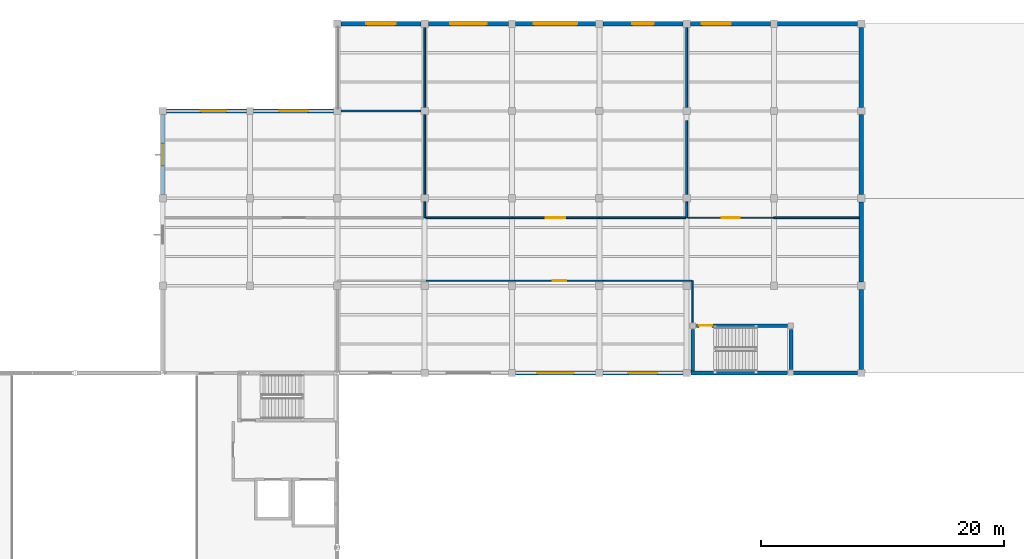
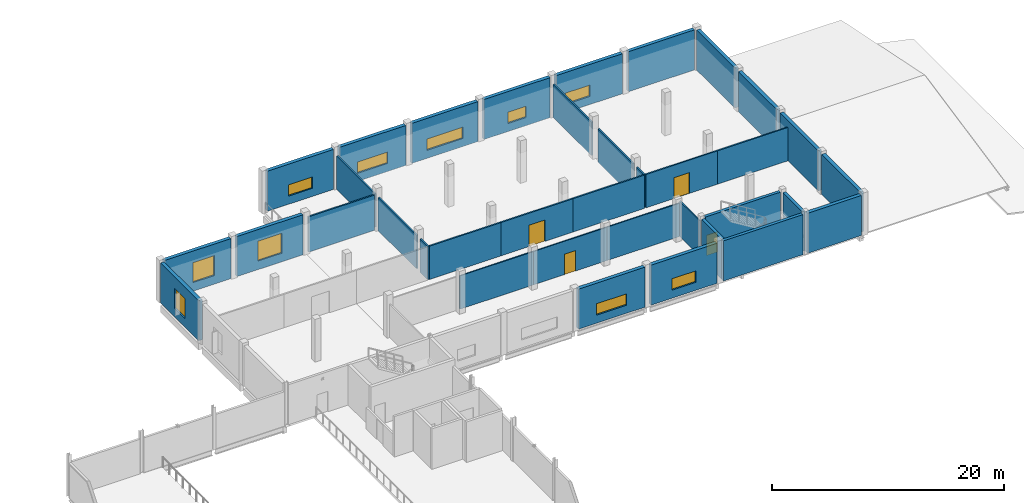
# One storey, part 69 of 76: 36 walls, 10 windows, 4 doors, 14 openings.
"""IFC4 building model written with IfcOpenShell, lengths in metres."""

from ifc_helpers import new_model, si_unit, direction, frame, frame_2d, origin, place, context, subcontext, project, spatial, rectangle, extrude, material, layer, layer_set, type_object, element, fill, save


model = new_model("IFC4")

# Units and contexts
model_context = context("Model", 3, precision=1e-05, world=origin(), true_north=direction((0.0, 1.0)))
body_context = subcontext(model_context, "Body", "Model", "MODEL_VIEW")
ifc_project = project(units=[si_unit("LENGTHUNIT", "METRE"), si_unit("AREAUNIT", "SQUARE_METRE"), si_unit("VOLUMEUNIT", "CUBIC_METRE"), si_unit("PLANEANGLEUNIT", "RADIAN"), si_unit("MASSUNIT", "GRAM", prefix="KILO"), si_unit("THERMODYNAMICTEMPERATUREUNIT", "KELVIN"), si_unit("POWERUNIT", "WATT")], contexts=[model_context])

# Site, building, storey
site_placement = place(None, origin())
site = spatial("IfcSite", under=ifc_project, at=site_placement, CompositionType="ELEMENT")
building_placement = place(site_placement, origin())
building = spatial("IfcBuilding", under=site, at=building_placement, Name="Kaldorven Railside Theatre", CompositionType="ELEMENT")
storey_placement = place(building_placement, frame((0.0, 0.0, 14.39990234375)))
storey = spatial("IfcBuildingStorey", under=building, at=storey_placement, Name="L03", CompositionType="ELEMENT", Elevation=14.39990234375)

# Wall, opening, window
ifc_material_1 = material(Name="Precast concrete C40/50", Category="concrete")
ifc_layer_1 = layer(ifc_material_1, 0.35009765625, Name="Precast concrete C40/50")
ifc_layer_set_1 = layer_set([ifc_layer_1], Name="Precast concrete C40/50")
wall_type_1 = type_object("IfcWallType", Name="WL-EW03", PredefinedType="SOLIDWALL", material=ifc_layer_set_1)
wall_1_placement = place(storey_placement, frame((108.800048828125, 127.5, 0.0), z_axis=(0.0, 0.0, 1.0), x_axis=(0.0, 1.0, 0.0)))
wall_1 = element("IfcWall", 1, at=wall_1_placement, inside=storey, type_object=wall_type_1, Name="V6L L03 Exterior Wall EW-0358", PredefinedType="SOLIDWALL", context=body_context, shape_type="SweptSolid", body=[
    extrude(rectangle(XDim=6.60009765625, YDim=0.35009765625, at=frame_2d((3.300048828125, 0.0))), origin(), (0.0, 0.0, 1.0), 4.22021484375),
])
opening_1_placement = place(wall_1_placement, frame((2.39990234375, 0.0, 0.89990234375)))
opening_1 = element("IfcOpeningElement", 2, at=opening_1_placement, cuts=wall_1, Name="Opening WN-059", PredefinedType="OPENING", context=body_context, shape_type="SweptSolid", body=[
    extrude(rectangle(XDim=1.800048828125, YDim=2.10009765625, at=frame_2d((0.89990234375, 1.050048828125))), frame((0.0, 0.18505859375, 0.0), z_axis=(0.0, -1.0, 0.0), x_axis=(1.0, 0.0, 0.0)), (0.0, 0.0, 1.0), 0.3701171875),
])
ifc_material_2 = material(Name="Low-E laminated solar-control glass", Category="glass")
window_type_1 = type_object("IfcWindowType", Name="WN-EW09", PartitioningType="SINGLE_PANEL", PredefinedType="WINDOW", material=ifc_material_2)
window_1_placement = place(opening_1_placement, origin())
window_1 = element("IfcWindow", 3, at=window_1_placement, inside=storey, type_object=window_type_1, Name="Shaded Acoustic Exterior Window WN-059", OverallHeight=2.10009765625, OverallWidth=1.800048828125, PartitioningType="SINGLE_PANEL", PredefinedType="WINDOW", context=body_context, shape_type="SweptSolid", body=[
    extrude(rectangle(XDim=1.800048828125, YDim=2.10009765625, at=frame_2d((0.89990234375, 1.050048828125))), frame((0.0, 0.030029296875, 0.0), z_axis=(0.0, -1.0, 0.0), x_axis=(1.0, 0.0, 0.0)), (0.0, 0.0, 1.0), 0.06005859375),
])
fill(opening_1, window_1)

wall_2_placement = place(storey_placement, frame((109.10009765625, 134.39990234375, 0.0), z_axis=(0.0, 0.0, 1.0), x_axis=(1.0, 0.0, 0.0)))
wall_2 = element("IfcWall", 4, at=wall_2_placement, inside=storey, type_object=wall_type_1, Name="V6L L03 Exterior Wall EW-0359", PredefinedType="SOLIDWALL", context=body_context, shape_type="SweptSolid", body=[
    extrude(rectangle(XDim=6.599853515625, YDim=0.35009765625, at=frame_2d((3.2998046875, 0.0))), origin(), (0.0, 0.0, 1.0), 4.22021484375),
])
opening_2_placement = place(wall_2_placement, frame((2.85009765625, 0.0, 0.89990234375)))
opening_2 = element("IfcOpeningElement", 5, at=opening_2_placement, cuts=wall_2, Name="Opening WN-060", PredefinedType="OPENING", context=body_context, shape_type="SweptSolid", body=[
    extrude(rectangle(XDim=2.10009765625, YDim=2.10009765625, at=frame_2d((1.050048828125, 1.050048828125))), frame((0.0, 0.18505859375, 0.0), z_axis=(0.0, -1.0, 0.0), x_axis=(1.0, 0.0, 0.0)), (0.0, 0.0, 1.0), 0.3701171875),
])
window_type_2 = type_object("IfcWindowType", Name="WN-EW10", PartitioningType="SINGLE_PANEL", PredefinedType="WINDOW", material=ifc_material_2)
window_2_placement = place(opening_2_placement, origin())
window_2 = element("IfcWindow", 6, at=window_2_placement, inside=storey, type_object=window_type_2, Name="Shaded Acoustic Exterior Window WN-060", OverallHeight=2.10009765625, OverallWidth=2.10009765625, PartitioningType="SINGLE_PANEL", PredefinedType="WINDOW", context=body_context, shape_type="SweptSolid", body=[
    extrude(rectangle(XDim=2.10009765625, YDim=2.10009765625, at=frame_2d((1.050048828125, 1.050048828125))), frame((0.0, 0.030029296875, 0.0), z_axis=(0.0, -1.0, 0.0), x_axis=(1.0, 0.0, 0.0)), (0.0, 0.0, 1.0), 0.06005859375),
])
fill(opening_2, window_2)

wall_3_placement = place(storey_placement, frame((116.300048828125, 134.39990234375, 0.0), z_axis=(0.0, 0.0, 1.0), x_axis=(1.0, 0.0, 0.0)))
wall_3 = element("IfcWall", 7, at=wall_3_placement, inside=storey, type_object=wall_type_1, Name="V6L L03 Exterior Wall EW-0360", PredefinedType="SOLIDWALL", context=body_context, shape_type="SweptSolid", body=[
    extrude(rectangle(XDim=6.599853515625, YDim=0.35009765625, at=frame_2d((3.2998046875, 0.0))), origin(), (0.0, 0.0, 1.0), 4.22021484375),
])
opening_3_placement = place(wall_3_placement, frame((2.10009765625, 0.0, 0.89990234375)))
opening_3 = element("IfcOpeningElement", 8, at=opening_3_placement, cuts=wall_3, Name="Opening WN-061", PredefinedType="OPENING", context=body_context, shape_type="SweptSolid", body=[
    extrude(rectangle(XDim=2.39990234375, YDim=2.10009765625, at=frame_2d((1.199951171875, 1.050048828125))), frame((0.0, 0.18505859375, 0.0), z_axis=(0.0, -1.0, 0.0), x_axis=(1.0, 0.0, 0.0)), (0.0, 0.0, 1.0), 0.3701171875),
])
window_type_3 = type_object("IfcWindowType", Name="WN-EW11", PartitioningType="SINGLE_PANEL", PredefinedType="WINDOW", material=ifc_material_2)
window_3_placement = place(opening_3_placement, origin())
window_3 = element("IfcWindow", 9, at=window_3_placement, inside=storey, type_object=window_type_3, Name="Shaded Acoustic Exterior Window WN-061", OverallHeight=2.10009765625, OverallWidth=2.39990234375, PartitioningType="SINGLE_PANEL", PredefinedType="WINDOW", context=body_context, shape_type="SweptSolid", body=[
    extrude(rectangle(XDim=2.39990234375, YDim=2.10009765625, at=frame_2d((1.199951171875, 1.050048828125))), frame((0.0, 0.030029296875, 0.0), z_axis=(0.0, -1.0, 0.0), x_axis=(1.0, 0.0, 0.0)), (0.0, 0.0, 1.0), 0.06005859375),
])
fill(opening_3, window_3)

# Wall
wall_4_placement = place(storey_placement, frame((166.10009765625, 112.800048828125, 0.0), z_axis=(0.0, 0.0, 1.0), x_axis=(-1.0, 0.0, 0.0)))
element("IfcWall", 10, at=wall_4_placement, inside=storey, type_object=wall_type_1, Name="V6 L03 Exterior Wall EW-0432", PredefinedType="SOLIDWALL", context=body_context, shape_type="SweptSolid", body=[
    extrude(rectangle(XDim=5.35009765625, YDim=0.35009765625, at=frame_2d((2.675048828125, 0.0))), origin(), (0.0, 0.0, 1.0), 4.22021484375),
])

# Wall, opening, window
wall_5_placement = place(storey_placement, frame((151.699951171875, 112.800048828125, 0.0), z_axis=(0.0, 0.0, 1.0), x_axis=(-1.0, 0.0, 0.0)))
wall_5 = element("IfcWall", 11, at=wall_5_placement, inside=storey, type_object=wall_type_1, Name="V6 L03 Exterior Wall EW-0433", PredefinedType="SOLIDWALL", context=body_context, shape_type="SweptSolid", body=[
    extrude(rectangle(XDim=6.599853515625, YDim=0.35009765625, at=frame_2d((3.2998046875, 0.0))), origin(), (0.0, 0.0, 1.0), 4.22021484375),
])
opening_4_placement = place(wall_5_placement, frame((2.10009765625, 0.0, 0.85009765625)))
opening_4 = element("IfcOpeningElement", 12, at=opening_4_placement, cuts=wall_5, Name="Opening WN-106", PredefinedType="OPENING", context=body_context, shape_type="SweptSolid", body=[
    extrude(rectangle(XDim=2.39990234375, YDim=1.199951171875, at=frame_2d((1.199951171875, 0.60009765625))), frame((0.0, 0.18505859375, 0.0), z_axis=(0.0, -1.0, 0.0), x_axis=(1.0, 0.0, 0.0)), (0.0, 0.0, 1.0), 0.3701171875),
])
window_type_4 = type_object("IfcWindowType", Name="WN-EW15", PartitioningType="SINGLE_PANEL", PredefinedType="WINDOW", material=ifc_material_2)
window_4_placement = place(opening_4_placement, origin())
window_4 = element("IfcWindow", 13, at=window_4_placement, inside=storey, type_object=window_type_4, Name="Shaded Acoustic Exterior Window WN-106", OverallHeight=1.199951171875, OverallWidth=2.39990234375, PartitioningType="SINGLE_PANEL", PredefinedType="WINDOW", context=body_context, shape_type="SweptSolid", body=[
    extrude(rectangle(XDim=2.39990234375, YDim=1.199951171875, at=frame_2d((1.199951171875, 0.60009765625))), frame((0.0, 0.030029296875, 0.0), z_axis=(0.0, -1.0, 0.0), x_axis=(1.0, 0.0, 0.0)), (0.0, 0.0, 1.0), 0.06005859375),
])
fill(opening_4, window_4)

wall_6_placement = place(storey_placement, frame((144.5, 112.800048828125, 0.0), z_axis=(0.0, 0.0, 1.0), x_axis=(-1.0, 0.0, 0.0)))
wall_6 = element("IfcWall", 14, at=wall_6_placement, inside=storey, type_object=wall_type_1, Name="V6 L03 Exterior Wall EW-0434", PredefinedType="SOLIDWALL", context=body_context, shape_type="SweptSolid", body=[
    extrude(rectangle(XDim=6.60009765625, YDim=0.35009765625, at=frame_2d((3.300048828125, 0.0))), origin(), (0.0, 0.0, 1.0), 4.22021484375),
])
opening_5_placement = place(wall_6_placement, frame((1.800048828125, 0.0, 0.85009765625)))
opening_5 = element("IfcOpeningElement", 15, at=opening_5_placement, cuts=wall_6, Name="Opening WN-107", PredefinedType="OPENING", context=body_context, shape_type="SweptSolid", body=[
    extrude(rectangle(XDim=3.0, YDim=1.199951171875, at=frame_2d((1.5, 0.60009765625))), frame((0.0, 0.18505859375, 0.0), z_axis=(0.0, -1.0, 0.0), x_axis=(1.0, 0.0, 0.0)), (0.0, 0.0, 1.0), 0.3701171875),
])
window_type_5 = type_object("IfcWindowType", Name="WN-EW16", PartitioningType="SINGLE_PANEL", PredefinedType="WINDOW", material=ifc_material_2)
window_5_placement = place(opening_5_placement, origin())
window_5 = element("IfcWindow", 16, at=window_5_placement, inside=storey, type_object=window_type_5, Name="Shaded Acoustic Exterior Window WN-107", OverallHeight=1.199951171875, OverallWidth=3.0, PartitioningType="SINGLE_PANEL", PredefinedType="WINDOW", context=body_context, shape_type="SweptSolid", body=[
    extrude(rectangle(XDim=3.0, YDim=1.199951171875, at=frame_2d((1.5, 0.60009765625))), frame((0.0, 0.030029296875, 0.0), z_axis=(0.0, -1.0, 0.0), x_axis=(1.0, 0.0, 0.0)), (0.0, 0.0, 1.0), 0.06005859375),
])
fill(opening_5, window_5)

wall_7_placement = place(storey_placement, frame((123.5, 141.60009765625, 0.0), z_axis=(0.0, 0.0, 1.0), x_axis=(1.0, 0.0, 0.0)))
wall_7 = element("IfcWall", 17, at=wall_7_placement, inside=storey, type_object=wall_type_1, Name="V6 L03 Exterior Wall EW-0437", PredefinedType="SOLIDWALL", context=body_context, shape_type="SweptSolid", body=[
    extrude(rectangle(XDim=6.60009765625, YDim=0.35009765625, at=frame_2d((3.300048828125, 0.0))), origin(), (0.0, 0.0, 1.0), 4.22021484375),
])
opening_6_placement = place(wall_7_placement, frame((2.10009765625, 0.0, 0.85009765625)))
opening_6 = element("IfcOpeningElement", 18, at=opening_6_placement, cuts=wall_7, Name="Opening WN-110", PredefinedType="OPENING", context=body_context, shape_type="SweptSolid", body=[
    extrude(rectangle(XDim=2.39990234375, YDim=1.199951171875, at=frame_2d((1.199951171875, 0.60009765625))), frame((0.0, 0.18505859375, 0.0), z_axis=(0.0, -1.0, 0.0), x_axis=(1.0, 0.0, 0.0)), (0.0, 0.0, 1.0), 0.3701171875),
])
window_6_placement = place(opening_6_placement, origin())
window_6 = element("IfcWindow", 19, at=window_6_placement, inside=storey, type_object=window_type_4, Name="Shaded Acoustic Exterior Window WN-110", OverallHeight=1.199951171875, OverallWidth=2.39990234375, PartitioningType="SINGLE_PANEL", PredefinedType="WINDOW", context=body_context, shape_type="SweptSolid", body=[
    extrude(rectangle(XDim=2.39990234375, YDim=1.199951171875, at=frame_2d((1.199951171875, 0.60009765625))), frame((0.0, 0.030029296875, 0.0), z_axis=(0.0, -1.0, 0.0), x_axis=(1.0, 0.0, 0.0)), (0.0, 0.0, 1.0), 0.06005859375),
])
fill(opening_6, window_6)

wall_8_placement = place(storey_placement, frame((130.699951171875, 141.60009765625, 0.0), z_axis=(0.0, 0.0, 1.0), x_axis=(1.0, 0.0, 0.0)))
wall_8 = element("IfcWall", 20, at=wall_8_placement, inside=storey, type_object=wall_type_1, Name="V6 L03 Exterior Wall EW-0438", PredefinedType="SOLIDWALL", context=body_context, shape_type="SweptSolid", body=[
    extrude(rectangle(XDim=6.60009765625, YDim=0.35009765625, at=frame_2d((3.300048828125, 0.0))), origin(), (0.0, 0.0, 1.0), 4.22021484375),
])
opening_7_placement = place(wall_8_placement, frame((1.800048828125, 0.0, 0.85009765625)))
opening_7 = element("IfcOpeningElement", 21, at=opening_7_placement, cuts=wall_8, Name="Opening WN-111", PredefinedType="OPENING", context=body_context, shape_type="SweptSolid", body=[
    extrude(rectangle(XDim=3.0, YDim=1.199951171875, at=frame_2d((1.5, 0.60009765625))), frame((0.0, 0.18505859375, 0.0), z_axis=(0.0, -1.0, 0.0), x_axis=(1.0, 0.0, 0.0)), (0.0, 0.0, 1.0), 0.3701171875),
])
window_7_placement = place(opening_7_placement, origin())
window_7 = element("IfcWindow", 22, at=window_7_placement, inside=storey, type_object=window_type_5, Name="Shaded Acoustic Exterior Window WN-111", OverallHeight=1.199951171875, OverallWidth=3.0, PartitioningType="SINGLE_PANEL", PredefinedType="WINDOW", context=body_context, shape_type="SweptSolid", body=[
    extrude(rectangle(XDim=3.0, YDim=1.199951171875, at=frame_2d((1.5, 0.60009765625))), frame((0.0, 0.030029296875, 0.0), z_axis=(0.0, -1.0, 0.0), x_axis=(1.0, 0.0, 0.0)), (0.0, 0.0, 1.0), 0.06005859375),
])
fill(opening_7, window_7)

wall_9_placement = place(storey_placement, frame((137.89990234375, 141.60009765625, 0.0), z_axis=(0.0, 0.0, 1.0), x_axis=(1.0, 0.0, 0.0)))
wall_9 = element("IfcWall", 23, at=wall_9_placement, inside=storey, type_object=wall_type_1, Name="V6 L03 Exterior Wall EW-0439", PredefinedType="SOLIDWALL", context=body_context, shape_type="SweptSolid", body=[
    extrude(rectangle(XDim=6.60009765625, YDim=0.35009765625, at=frame_2d((3.300048828125, 0.0))), origin(), (0.0, 0.0, 1.0), 4.22021484375),
])
opening_8_placement = place(wall_9_placement, frame((1.5, 0.0, 0.85009765625)))
opening_8 = element("IfcOpeningElement", 24, at=opening_8_placement, cuts=wall_9, Name="Opening WN-112", PredefinedType="OPENING", context=body_context, shape_type="SweptSolid", body=[
    extrude(rectangle(XDim=3.60009765625, YDim=1.199951171875, at=frame_2d((1.800048828125, 0.60009765625))), frame((0.0, 0.18505859375, 0.0), z_axis=(0.0, -1.0, 0.0), x_axis=(1.0, 0.0, 0.0)), (0.0, 0.0, 1.0), 0.3701171875),
])
window_type_6 = type_object("IfcWindowType", Name="WN-EW17", PartitioningType="SINGLE_PANEL", PredefinedType="WINDOW", material=ifc_material_2)
window_8_placement = place(opening_8_placement, origin())
window_8 = element("IfcWindow", 25, at=window_8_placement, inside=storey, type_object=window_type_6, Name="Shaded Acoustic Exterior Window WN-112", OverallHeight=1.199951171875, OverallWidth=3.60009765625, PartitioningType="SINGLE_PANEL", PredefinedType="WINDOW", context=body_context, shape_type="SweptSolid", body=[
    extrude(rectangle(XDim=3.60009765625, YDim=1.199951171875, at=frame_2d((1.800048828125, 0.60009765625))), frame((0.0, 0.030029296875, 0.0), z_axis=(0.0, -1.0, 0.0), x_axis=(1.0, 0.0, 0.0)), (0.0, 0.0, 1.0), 0.06005859375),
])
fill(opening_8, window_8)

wall_10_placement = place(storey_placement, frame((145.10009765625, 141.60009765625, 0.0), z_axis=(0.0, 0.0, 1.0), x_axis=(1.0, 0.0, 0.0)))
wall_10 = element("IfcWall", 26, at=wall_10_placement, inside=storey, type_object=wall_type_1, Name="V6 L03 Exterior Wall EW-0440", PredefinedType="SOLIDWALL", context=body_context, shape_type="SweptSolid", body=[
    extrude(rectangle(XDim=6.599853515625, YDim=0.35009765625, at=frame_2d((3.2998046875, 0.0))), origin(), (0.0, 0.0, 1.0), 4.22021484375),
])
opening_9_placement = place(wall_10_placement, frame((2.39990234375, 0.0, 0.85009765625)))
opening_9 = element("IfcOpeningElement", 27, at=opening_9_placement, cuts=wall_10, Name="Opening WN-113", PredefinedType="OPENING", context=body_context, shape_type="SweptSolid", body=[
    extrude(rectangle(XDim=1.800048828125, YDim=1.199951171875, at=frame_2d((0.89990234375, 0.60009765625))), frame((0.0, 0.18505859375, 0.0), z_axis=(0.0, -1.0, 0.0), x_axis=(1.0, 0.0, 0.0)), (0.0, 0.0, 1.0), 0.3701171875),
])
window_type_7 = type_object("IfcWindowType", Name="WN-EW14", PartitioningType="SINGLE_PANEL", PredefinedType="WINDOW", material=ifc_material_2)
window_9_placement = place(opening_9_placement, origin())
window_9 = element("IfcWindow", 28, at=window_9_placement, inside=storey, type_object=window_type_7, Name="Shaded Acoustic Exterior Window WN-113", OverallHeight=1.199951171875, OverallWidth=1.800048828125, PartitioningType="SINGLE_PANEL", PredefinedType="WINDOW", context=body_context, shape_type="SweptSolid", body=[
    extrude(rectangle(XDim=1.800048828125, YDim=1.199951171875, at=frame_2d((0.89990234375, 0.60009765625))), frame((0.0, 0.030029296875, 0.0), z_axis=(0.0, -1.0, 0.0), x_axis=(1.0, 0.0, 0.0)), (0.0, 0.0, 1.0), 0.06005859375),
])
fill(opening_9, window_9)

wall_11_placement = place(storey_placement, frame((152.300048828125, 141.60009765625, 0.0), z_axis=(0.0, 0.0, 1.0), x_axis=(1.0, 0.0, 0.0)))
wall_11 = element("IfcWall", 29, at=wall_11_placement, inside=storey, type_object=wall_type_1, Name="V6 L03 Exterior Wall EW-0441", PredefinedType="SOLIDWALL", context=body_context, shape_type="SweptSolid", body=[
    extrude(rectangle(XDim=6.599853515625, YDim=0.35009765625, at=frame_2d((3.2998046875, 0.0))), origin(), (0.0, 0.0, 1.0), 4.22021484375),
])
opening_10_placement = place(wall_11_placement, frame((0.949951171875, 0.0, 0.85009765625)))
opening_10 = element("IfcOpeningElement", 30, at=opening_10_placement, cuts=wall_11, Name="Opening WN-114", PredefinedType="OPENING", context=body_context, shape_type="SweptSolid", body=[
    extrude(rectangle(XDim=2.39990234375, YDim=1.199951171875, at=frame_2d((1.199951171875, 0.60009765625))), frame((0.0, 0.18505859375, 0.0), z_axis=(0.0, -1.0, 0.0), x_axis=(1.0, 0.0, 0.0)), (0.0, 0.0, 1.0), 0.3701171875),
])
window_10_placement = place(opening_10_placement, origin())
window_10 = element("IfcWindow", 31, at=window_10_placement, inside=storey, type_object=window_type_4, Name="Shaded Acoustic Exterior Window WN-114", OverallHeight=1.199951171875, OverallWidth=2.39990234375, PartitioningType="SINGLE_PANEL", PredefinedType="WINDOW", context=body_context, shape_type="SweptSolid", body=[
    extrude(rectangle(XDim=2.39990234375, YDim=1.199951171875, at=frame_2d((1.199951171875, 0.60009765625))), frame((0.0, 0.030029296875, 0.0), z_axis=(0.0, -1.0, 0.0), x_axis=(1.0, 0.0, 0.0)), (0.0, 0.0, 1.0), 0.06005859375),
])
fill(opening_10, window_10)

# Walls
for number, where, z_axis, x_axis, name in (
    (32, (159.5, 141.60009765625, 0.0), (0.0, 0.0, 1.0), (1.0, 0.0, 0.0), "V6 L03 Exterior Wall EW-0442"),
    (33, (166.39990234375, 141.300048828125, 0.0), (0.0, 0.0, 1.0), (0.0, -1.0, 0.0), "V6 L03 Exterior Wall EW-0443"),
    (34, (166.39990234375, 134.10009765625, 0.0), (0.0, 0.0, 1.0), (0.0, -1.0, 0.0), "V6 L03 Exterior Wall EW-0444"),
):
    element("IfcWall", number, at=place(storey_placement, frame(where, z_axis=z_axis, x_axis=x_axis)), inside=storey, type_object=wall_type_1, Name=name, PredefinedType="SOLIDWALL", context=body_context, shape_type="SweptSolid", body=[
        extrude(rectangle(XDim=6.60009765625, YDim=0.35009765625, at=frame_2d((3.300048828125, 0.0))), origin(), (0.0, 0.0, 1.0), 4.22021484375),
    ])
for number, where, z_axis, x_axis, name in (
    (35, (166.39990234375, 126.89990234375, 0.0), (0.0, 0.0, 1.0), (0.0, -1.0, 0.0), "V6 L03 Exterior Wall EW-0445"),
    (36, (166.39990234375, 119.699951171875, 0.0), (0.0, 0.0, 1.0), (0.0, -1.0, 0.0), "V6 L03 Exterior Wall EW-0446"),
):
    element("IfcWall", number, at=place(storey_placement, frame(where, z_axis=z_axis, x_axis=x_axis)), inside=storey, type_object=wall_type_1, Name=name, PredefinedType="SOLIDWALL", context=body_context, shape_type="SweptSolid", body=[
        extrude(rectangle(XDim=6.599853515625, YDim=0.35009765625, at=frame_2d((3.2998046875, 0.0))), origin(), (0.0, 0.0, 1.0), 4.22021484375),
    ])
ifc_material_3 = material(Name="Acoustic gypsum board")
ifc_layer_2 = layer(ifc_material_3, 0.14990234375, Name="Acoustic gypsum board")
ifc_layer_set_2 = layer_set([ifc_layer_2], Name="Acoustic gypsum board")
wall_type_2 = type_object("IfcWallType", Name="WL-IW-AC1", PredefinedType="PARTITIONING", material=ifc_layer_set_2)
wall_12_placement = place(storey_placement, frame((130.39990234375, 127.5, 0.0), z_axis=(0.0, 0.0, 1.0), x_axis=(0.0, 1.0, 0.0)))
element("IfcWall", 37, at=wall_12_placement, inside=storey, type_object=wall_type_2, Name="L03 Interior Wall IW-0643", PredefinedType="PARTITIONING", context=body_context, shape_type="SweptSolid", body=[
    extrude(rectangle(XDim=6.60009765625, YDim=0.14990234375, at=frame_2d((3.300048828125, 0.0))), origin(), (0.0, 0.0, 1.0), 3.51513671875),
])
wall_13_placement = place(storey_placement, frame((130.39990234375, 125.60009765625, 0.0), z_axis=(0.0, 0.0, 1.0), x_axis=(0.0, 1.0, 0.0)))
element("IfcWall", 38, at=wall_13_placement, inside=storey, type_object=wall_type_2, Name="L03 Interior Wall IW-0644", PredefinedType="PARTITIONING", context=body_context, shape_type="SweptSolid", body=[
    extrude(rectangle(XDim=1.2998046875, YDim=0.14990234375, at=frame_2d((0.64990234375, 0.0))), origin(), (0.0, 0.0, 1.0), 3.51513671875),
])
wall_14_placement = place(storey_placement, frame((130.10009765625, 134.39990234375, 0.0), z_axis=(0.0, 0.0, 1.0), x_axis=(-1.0, 0.0, 0.0)))
element("IfcWall", 39, at=wall_14_placement, inside=storey, type_object=wall_type_2, Name="L03 Interior Wall IW-0645", PredefinedType="PARTITIONING", context=body_context, shape_type="SweptSolid", body=[
    extrude(rectangle(XDim=6.60009765625, YDim=0.14990234375, at=frame_2d((3.300048828125, 0.0))), origin(), (0.0, 0.0, 1.0), 3.715087890625),
])
wall_15_placement = place(storey_placement, frame((152.0, 127.5, 0.0), z_axis=(0.0, 0.0, 1.0), x_axis=(0.0, 1.0, 0.0)))
element("IfcWall", 40, at=wall_15_placement, inside=storey, type_object=wall_type_2, Name="L03 Interior Wall IW-0649", PredefinedType="PARTITIONING", context=body_context, shape_type="SweptSolid", body=[
    extrude(rectangle(XDim=6.10009765625, YDim=0.14990234375, at=frame_2d((3.050048828125, 0.0))), origin(), (0.0, 0.0, 1.0), 3.51513671875),
])
wall_16_placement = place(storey_placement, frame((152.0, 125.60009765625, 0.0), z_axis=(0.0, 0.0, 1.0), x_axis=(0.0, 1.0, 0.0)))
element("IfcWall", 41, at=wall_16_placement, inside=storey, type_object=wall_type_2, Name="L03 Interior Wall IW-0650", PredefinedType="PARTITIONING", context=body_context, shape_type="SweptSolid", body=[
    extrude(rectangle(XDim=1.2998046875, YDim=0.14990234375, at=frame_2d((0.64990234375, 0.0))), origin(), (0.0, 0.0, 1.0), 3.51513671875),
])
for number, where, z_axis, x_axis, name in (
    (42, (152.0, 134.699951171875, 0.0), (0.0, 0.0, 1.0), (0.0, 1.0, 0.0), "L03 Interior Wall IW-0651"),
    (43, (130.39990234375, 141.300048828125, 0.0), (0.0, 0.0, 1.0), (0.0, -1.0, 0.0), "L03 Interior Wall IW-0652"),
):
    element("IfcWall", number, at=place(storey_placement, frame(where, z_axis=z_axis, x_axis=x_axis)), inside=storey, type_object=wall_type_2, Name=name, PredefinedType="PARTITIONING", context=body_context, shape_type="SweptSolid", body=[
        extrude(rectangle(XDim=6.60009765625, YDim=0.14990234375, at=frame_2d((3.300048828125, 0.0))), origin(), (0.0, 0.0, 1.0), 3.51513671875),
    ])
wall_17_placement = place(storey_placement, frame((130.47705078125, 125.60009765625, 0.0), z_axis=(0.0, 0.0, 1.0), x_axis=(1.0, 0.0, 0.0)))
element("IfcWall", 44, at=wall_17_placement, inside=storey, type_object=wall_type_2, Name="L03 Interior Wall IW-0653", PredefinedType="PARTITIONING", context=body_context, shape_type="SweptSolid", body=[
    extrude(rectangle(XDim=7.123046875, YDim=0.14990234375, at=frame_2d((3.5615234375, 0.0))), origin(), (0.0, 0.0, 1.0), 3.51513671875),
])

# Wall, opening, door
wall_18_placement = place(storey_placement, frame((137.60009765625, 125.60009765625, 0.0), z_axis=(0.0, 0.0, 1.0), x_axis=(1.0, 0.0, 0.0)))
wall_18 = element("IfcWall", 45, at=wall_18_placement, inside=storey, type_object=wall_type_2, Name="L03 Interior Wall IW-0654", PredefinedType="PARTITIONING", context=body_context, shape_type="SweptSolid", body=[
    extrude(rectangle(XDim=7.199951171875, YDim=0.14990234375, at=frame_2d((3.60009765625, 0.0))), origin(), (0.0, 0.0, 1.0), 3.51513671875),
])
opening_11_placement = place(wall_18_placement, frame((2.800048828125, 0.0, 0.0)))
opening_11 = element("IfcOpeningElement", 46, at=opening_11_placement, cuts=wall_18, Name="Opening ID-0149", PredefinedType="OPENING", context=body_context, shape_type="SweptSolid", body=[
    extrude(rectangle(XDim=1.60009765625, YDim=2.25, at=frame_2d((0.800048828125, 1.125))), frame((0.0, 0.0849609375, 0.0), z_axis=(0.0, -1.0, 0.0), x_axis=(1.0, 0.0, 0.0)), (0.0, 0.0, 1.0), 0.169921875),
])
ifc_material_4 = material(Name="Acoustic hardwood timber", Category="wood")
door_type_1 = type_object("IfcDoorType", Name="DR-ID-REH1", OperationType="NOTDEFINED", PredefinedType="DOOR", material=ifc_material_4)
door_1_placement = place(opening_11_placement, origin())
door_1 = element("IfcDoor", 47, at=door_1_placement, inside=storey, type_object=door_type_1, Name="Orchestra Rehearsal Hall Entry Door", OperationType="DOUBLE_DOOR_SINGLE_SWING", OverallHeight=2.25, OverallWidth=1.60009765625, PredefinedType="DOOR", context=body_context, shape_type="SweptSolid", body=[
    extrude(rectangle(XDim=1.60009765625, YDim=2.25, at=frame_2d((0.800048828125, 1.125))), frame((0.0, 0.02490234375, 0.0), z_axis=(0.0, -1.0, 0.0), x_axis=(1.0, 0.0, 0.0)), (0.0, 0.0, 1.0), 0.050048828125),
])
fill(opening_11, door_1)

# Wall
wall_19_placement = place(storey_placement, frame((144.800048828125, 125.60009765625, 0.0), z_axis=(0.0, 0.0, 1.0), x_axis=(1.0, 0.0, 0.0)))
element("IfcWall", 48, at=wall_19_placement, inside=storey, type_object=wall_type_2, Name="L03 Interior Wall IW-0655", PredefinedType="PARTITIONING", context=body_context, shape_type="SweptSolid", body=[
    extrude(rectangle(XDim=7.123046875, YDim=0.14990234375, at=frame_2d((3.5615234375, 0.0))), origin(), (0.0, 0.0, 1.0), 3.51513671875),
])

# Wall, opening, door
ifc_layer_3 = layer(ifc_material_3, 0.139892578125, Name="Acoustic gypsum board")
ifc_layer_set_3 = layer_set([ifc_layer_3], Name="Acoustic gypsum board")
wall_type_3 = type_object("IfcWallType", Name="WL-IW-AC2", PredefinedType="PARTITIONING", material=ifc_layer_set_3)
wall_20_placement = place(storey_placement, frame((152.076904296875, 125.60009765625, 0.0), z_axis=(0.0, 0.0, 1.0), x_axis=(1.0, 0.0, 0.0)))
wall_20 = element("IfcWall", 49, at=wall_20_placement, inside=storey, type_object=wall_type_3, Name="L03 Interior Wall IW-0656", PredefinedType="PARTITIONING", context=body_context, shape_type="SweptSolid", body=[
    extrude(rectangle(XDim=7.123046875, YDim=0.139892578125, at=frame_2d((3.5615234375, 0.0))), origin(), (0.0, 0.0, 1.0), 3.51513671875),
])
opening_12_placement = place(wall_20_placement, frame((2.8115234375, 0.0, 0.0)))
opening_12 = element("IfcOpeningElement", 50, at=opening_12_placement, cuts=wall_20, Name="Opening ID-0150", PredefinedType="OPENING", context=body_context, shape_type="SweptSolid", body=[
    extrude(rectangle(XDim=1.5, YDim=2.199951171875, at=frame_2d((0.75, 1.10009765625))), frame((0.0, 0.080078125, 0.0), z_axis=(0.0, -1.0, 0.0), x_axis=(1.0, 0.0, 0.0)), (0.0, 0.0, 1.0), 0.159912109375),
])
door_type_2 = type_object("IfcDoorType", Name="DR-ID-REH2", OperationType="NOTDEFINED", PredefinedType="DOOR", material=ifc_material_4)
door_2_placement = place(opening_12_placement, origin())
door_2 = element("IfcDoor", 51, at=door_2_placement, inside=storey, type_object=door_type_2, Name="Drama Studio Upper Entry Door", OperationType="DOUBLE_DOOR_SINGLE_SWING", OverallHeight=2.199951171875, OverallWidth=1.5, PredefinedType="DOOR", context=body_context, shape_type="SweptSolid", body=[
    extrude(rectangle(XDim=1.5, YDim=2.199951171875, at=frame_2d((0.75, 1.10009765625))), frame((0.0, 0.02490234375, 0.0), z_axis=(0.0, -1.0, 0.0), x_axis=(1.0, 0.0, 0.0)), (0.0, 0.0, 1.0), 0.050048828125),
])
fill(opening_12, door_2)

# Walls
wall_21_placement = place(storey_placement, frame((159.199951171875, 125.60009765625, 0.0), z_axis=(0.0, 0.0, 1.0), x_axis=(1.0, 0.0, 0.0)))
element("IfcWall", 52, at=wall_21_placement, inside=storey, type_object=wall_type_3, Name="L03 Interior Wall IW-0657", PredefinedType="PARTITIONING", context=body_context, shape_type="SweptSolid", body=[
    extrude(rectangle(XDim=7.02294921875, YDim=0.139892578125, at=frame_2d((3.511474609375, 0.0))), origin(), (0.0, 0.0, 1.0), 3.51513671875),
])
ifc_material_5 = material(Name="Concrete C40/50", Category="concrete")
ifc_layer_4 = layer(ifc_material_5, 0.300048828125, Name="Concrete C40/50")
ifc_layer_set_4 = layer_set([ifc_layer_4], Name="Concrete C40/50")
wall_type_4 = type_object("IfcWallType", Name="WL-IW-CORE", PredefinedType="SHEAR", material=ifc_layer_set_4)
wall_22_placement = place(storey_placement, frame((160.300048828125, 112.800048828125, 0.0), z_axis=(0.0, 0.0, 1.0), x_axis=(-1.0, 0.0, 0.0)))
element("IfcWall", 53, at=wall_22_placement, inside=storey, type_object=wall_type_4, Name="L03 Core Wall CW-0317", PredefinedType="SHEAR", context=body_context, shape_type="SweptSolid", body=[
    extrude(rectangle(XDim=7.949951171875, YDim=0.300048828125, at=frame_2d((3.97509765625, 0.0))), origin(), (0.0, 0.0, 1.0), 4.22021484375),
])
wall_23_placement = place(storey_placement, frame((152.5, 112.951904296875, 0.0), z_axis=(0.0, 0.0, 1.0), x_axis=(0.0, 1.0, 0.0)))
element("IfcWall", 54, at=wall_23_placement, inside=storey, type_object=wall_type_4, Name="L03 Core Wall CW-0318", PredefinedType="SHEAR", context=body_context, shape_type="SweptSolid", body=[
    extrude(rectangle(XDim=3.447998046875, YDim=0.300048828125, at=frame_2d((1.72412109375, 0.0))), origin(), (0.0, 0.0, 1.0), 4.22021484375),
])

# Wall, opening, door
wall_24_placement = place(storey_placement, frame((152.800048828125, 116.699951171875, 0.0), z_axis=(0.0, 0.0, 1.0), x_axis=(1.0, 0.0, 0.0)))
wall_24 = element("IfcWall", 55, at=wall_24_placement, inside=storey, type_object=wall_type_4, Name="L03 Core Wall CW-0319", PredefinedType="SHEAR", context=body_context, shape_type="SweptSolid", body=[
    extrude(rectangle(XDim=7.5, YDim=0.300048828125, at=frame_2d((3.75, 0.0))), origin(), (0.0, 0.0, 1.0), 4.22021484375),
])
opening_13_placement = place(wall_24_placement, frame((0.199951171875, 0.0, 0.0)))
opening_13 = element("IfcOpeningElement", 56, at=opening_13_placement, cuts=wall_24, Name="Opening ID-0053", PredefinedType="OPENING", context=body_context, shape_type="SweptSolid", body=[
    extrude(rectangle(XDim=1.10009765625, YDim=2.14990234375, at=frame_2d((0.550048828125, 1.074951171875))), frame((0.0, 0.16015625, 0.0), z_axis=(0.0, -1.0, 0.0), x_axis=(1.0, 0.0, 0.0)), (0.0, 0.0, 1.0), 0.320068359375),
])
door_type_3 = type_object("IfcDoorType", Name="DR-ID-FD60", OperationType="NOTDEFINED", PredefinedType="DOOR", material=ifc_material_4)
door_3_placement = place(opening_13_placement, origin())
door_3 = element("IfcDoor", 57, at=door_3_placement, inside=storey, type_object=door_type_3, Name="Stair ST-08 Fire Door", OperationType="SINGLE_SWING_LEFT", OverallHeight=2.14990234375, OverallWidth=1.10009765625, PredefinedType="DOOR", context=body_context, shape_type="SweptSolid", body=[
    extrude(rectangle(XDim=1.10009765625, YDim=2.14990234375, at=frame_2d((0.550048828125, 1.074951171875))), frame((0.0, 0.02490234375, 0.0), z_axis=(0.0, -1.0, 0.0), x_axis=(1.0, 0.0, 0.0)), (0.0, 0.0, 1.0), 0.050048828125),
])
fill(opening_13, door_3)

# Walls
wall_25_placement = place(storey_placement, frame((160.60009765625, 116.39990234375, 0.0), z_axis=(0.0, 0.0, 1.0), x_axis=(0.0, -1.0, 0.0)))
element("IfcWall", 58, at=wall_25_placement, inside=storey, type_object=wall_type_4, Name="L03 Core Wall CW-0320", PredefinedType="SHEAR", context=body_context, shape_type="SweptSolid", body=[
    extrude(rectangle(XDim=3.2998046875, YDim=0.300048828125, at=frame_2d((1.64990234375, 0.0))), origin(), (0.0, 0.0, 1.0), 4.22021484375),
])
ifc_material_6 = material(Name="Fire-rated acoustic gypsum board")
ifc_layer_5 = layer(ifc_material_6, 0.1201171875, Name="Fire-rated acoustic gypsum board")
ifc_layer_set_5 = layer_set([ifc_layer_5], Name="Fire-rated acoustic gypsum board")
wall_type_5 = type_object("IfcWallType", Name="WL-IW-PT1", PredefinedType="PARTITIONING", material=ifc_layer_set_5)
wall_26_placement = place(storey_placement, frame((152.5, 117.0, 0.0), z_axis=(0.0, 0.0, 1.0), x_axis=(0.0, 1.0, 0.0)))
element("IfcWall", 59, at=wall_26_placement, inside=storey, type_object=wall_type_5, Name="L03 Interior Wall IW-0658", PredefinedType="PARTITIONING", context=body_context, shape_type="SweptSolid", body=[
    extrude(rectangle(XDim=3.39990234375, YDim=0.1201171875, at=frame_2d((1.699951171875, 0.0))), origin(), (0.0, 0.0, 1.0), 3.715087890625),
])
wall_27_placement = place(storey_placement, frame((152.43798828125, 120.39990234375, 0.0), z_axis=(0.0, 0.0, 1.0), x_axis=(-1.0, 0.0, 0.0)))
element("IfcWall", 60, at=wall_27_placement, inside=storey, type_object=wall_type_5, Name="L03 Interior Wall IW-0659", PredefinedType="PARTITIONING", context=body_context, shape_type="SweptSolid", body=[
    extrude(rectangle(XDim=7.262939453125, YDim=0.1201171875, at=frame_2d((3.63134765625, 0.0))), origin(), (0.0, 0.0, 1.0), 3.51513671875),
])

# Wall, opening, door
wall_28_placement = place(storey_placement, frame((145.175048828125, 120.39990234375, 0.0), z_axis=(0.0, 0.0, 1.0), x_axis=(-1.0, 0.0, 0.0)))
wall_28 = element("IfcWall", 61, at=wall_28_placement, inside=storey, type_object=wall_type_5, Name="L03 Interior Wall IW-0660", PredefinedType="PARTITIONING", context=body_context, shape_type="SweptSolid", body=[
    extrude(rectangle(XDim=7.324951171875, YDim=0.1201171875, at=frame_2d((3.66259765625, 0.0))), origin(), (0.0, 0.0, 1.0), 3.51513671875),
])
opening_14_placement = place(wall_28_placement, frame((3.112548828125, 0.0, 0.0)))
opening_14 = element("IfcOpeningElement", 62, at=opening_14_placement, cuts=wall_28, Name="Opening ID-0151", PredefinedType="OPENING", context=body_context, shape_type="SweptSolid", body=[
    extrude(rectangle(XDim=1.10009765625, YDim=2.14990234375, at=frame_2d((0.550048828125, 1.074951171875))), frame((0.0, 0.070068359375, 0.0), z_axis=(0.0, -1.0, 0.0), x_axis=(1.0, 0.0, 0.0)), (0.0, 0.0, 1.0), 0.14013671875),
])
door_4_placement = place(opening_14_placement, origin())
door_4 = element("IfcDoor", 63, at=door_4_placement, inside=storey, type_object=door_type_3, Name="Artistic Administration Office Entry Door", OperationType="SINGLE_SWING_RIGHT", OverallHeight=2.14990234375, OverallWidth=1.10009765625, PredefinedType="DOOR", context=body_context, shape_type="SweptSolid", body=[
    extrude(rectangle(XDim=1.10009765625, YDim=2.14990234375, at=frame_2d((0.550048828125, 1.074951171875))), frame((0.0, 0.02490234375, 0.0), z_axis=(0.0, -1.0, 0.0), x_axis=(1.0, 0.0, 0.0)), (0.0, 0.0, 1.0), 0.050048828125),
])
fill(opening_14, door_4)

# Wall
wall_29_placement = place(storey_placement, frame((137.85009765625, 120.39990234375, 0.0), z_axis=(0.0, 0.0, 1.0), x_axis=(-1.0, 0.0, 0.0)))
element("IfcWall", 64, at=wall_29_placement, inside=storey, type_object=wall_type_5, Name="L03 Interior Wall IW-0661", PredefinedType="PARTITIONING", context=body_context, shape_type="SweptSolid", body=[
    extrude(rectangle(XDim=7.3251953125, YDim=0.1201171875, at=frame_2d((3.66259765625, 0.0))), origin(), (0.0, 0.0, 1.0), 3.51513671875),
])

save(model, "model.ifc")
